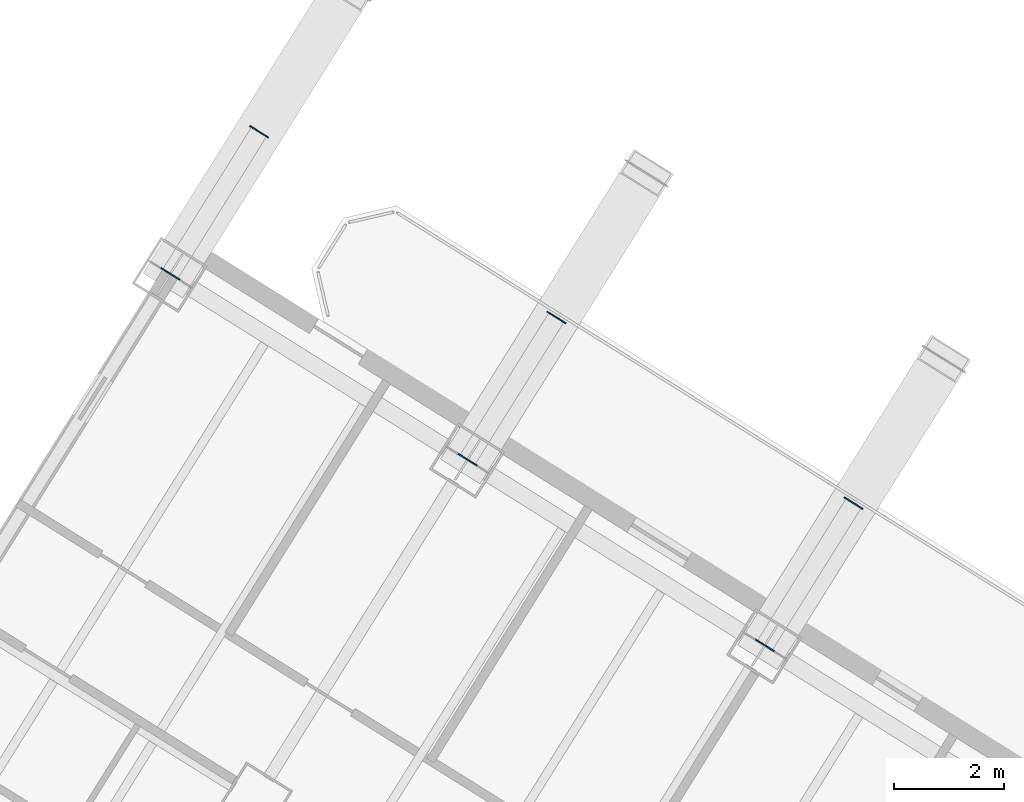
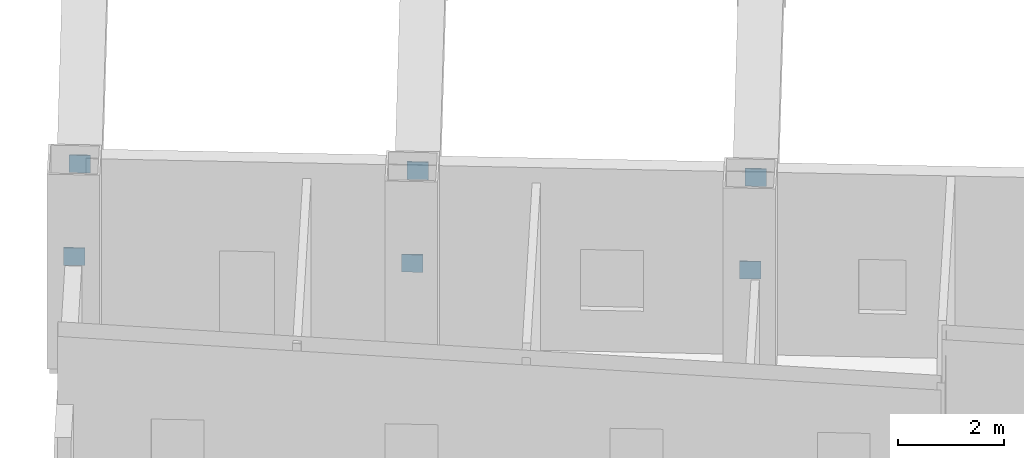
# One storey, part 19 of 30: 6 plates.
"""IFC4 building model written with IfcOpenShell, lengths in metres."""

from ifc_helpers import new_model, si_unit, direction, frame, origin, origin_2d, place, context, subcontext, project, spatial, rectangle, extrude, source, transform, mapped, material, layer, layer_set, type_object, element, save


model = new_model("IFC4")

# Units and contexts
model_context = context("Model", 3, precision=1e-05, world=origin(), true_north=direction((0.0, 1.0)))
body_context = subcontext(model_context, "Body", "Model", "MODEL_VIEW")
ifc_project = project(units=[si_unit("LENGTHUNIT", "METRE"), si_unit("AREAUNIT", "SQUARE_METRE"), si_unit("VOLUMEUNIT", "CUBIC_METRE"), si_unit("PLANEANGLEUNIT", "RADIAN"), si_unit("MASSUNIT", "GRAM", prefix="KILO")], contexts=[model_context])

# Site, building, storey
site_placement = place(None, origin())
site = spatial("IfcSite", under=ifc_project, at=site_placement, CompositionType="ELEMENT")
building_placement = place(site_placement, origin())
building = spatial("IfcBuilding", under=site, at=building_placement, Name="Tlacorven Tower", CompositionType="ELEMENT")
storey_placement = place(building_placement, frame((0.0, 0.0, 67.199951171875)))
storey = spatial("IfcBuildingStorey", under=building, at=storey_placement, Name="L17", CompositionType="ELEMENT", Elevation=67.199951171875)

# Plates
ifc_material = material(Name="Steel S460M", Category="steel")
ifc_layer = layer(ifc_material, 0.02392578125)
ifc_layer_set = layer_set([ifc_layer], Name="Steel S460M")
plate_type = type_object("IfcPlateType", Name="PL-CAP-END1", PredefinedType="USERDEFINED", material=ifc_layer_set)
shared_shape = source(origin(), body_context, "Body", "SweptSolid", [
    extrude(rectangle(XDim=0.02392578125, YDim=0.40380859375, at=origin_2d()), origin(), (0.0, 0.0, 1.0), 0.40380859375),
])
for number, where, z_axis, x_axis, name in (
    (1, (24.510986328125, 34.659912109375, 2.048095703125), (0.0, 0.0, 1.0), (0.52991883186, 0.848048366333, 0.0), "L17 hollow end cap plate SBR-L17-W4 1"),
    (2, (26.132568359375, 37.2548828125, 2.048095703125), (0.0, 0.0, 1.0), (0.52991883186, 0.848048366333, 0.0), "L17 hollow end cap plate SBR-L17-W4 2"),
    (3, (19.08349609375, 38.05126953125, 2.048095703125), (0.0, 0.0, 1.0), (0.529920917633, 0.848047062995, 0.0), "L17 hollow end cap plate SBR-L17-W5 1"),
    (4, (20.705078125, 40.646240234375, 2.048095703125), (0.0, 0.0, 1.0), (0.529920917633, 0.848047062995, 0.0), "L17 hollow end cap plate SBR-L17-W5 2"),
    (5, (13.656005859375, 41.44287109375, 2.048095703125), (0.0, 0.0, 1.0), (0.529919419557, 0.848047999099, 0.0), "L17 hollow end cap plate SBR-L17-W6 1"),
    (6, (15.277587890625, 44.037841796875, 2.048095703125), (0.0, 0.0, 1.0), (0.529919419557, 0.848047999099, 0.0), "L17 hollow end cap plate SBR-L17-W6 2"),
):
    element("IfcPlate", number, at=place(storey_placement, frame(where, z_axis=z_axis, x_axis=x_axis)), inside=storey, type_object=plate_type, Name=name, ObjectType="END PLATE", PredefinedType="USERDEFINED", context=body_context, shape_type="MappedRepresentation", body=[
        mapped(shared_shape, transform((0.0, 0.0, 0.0), scale=1.0)),
    ])

save(model, "model.ifc")
